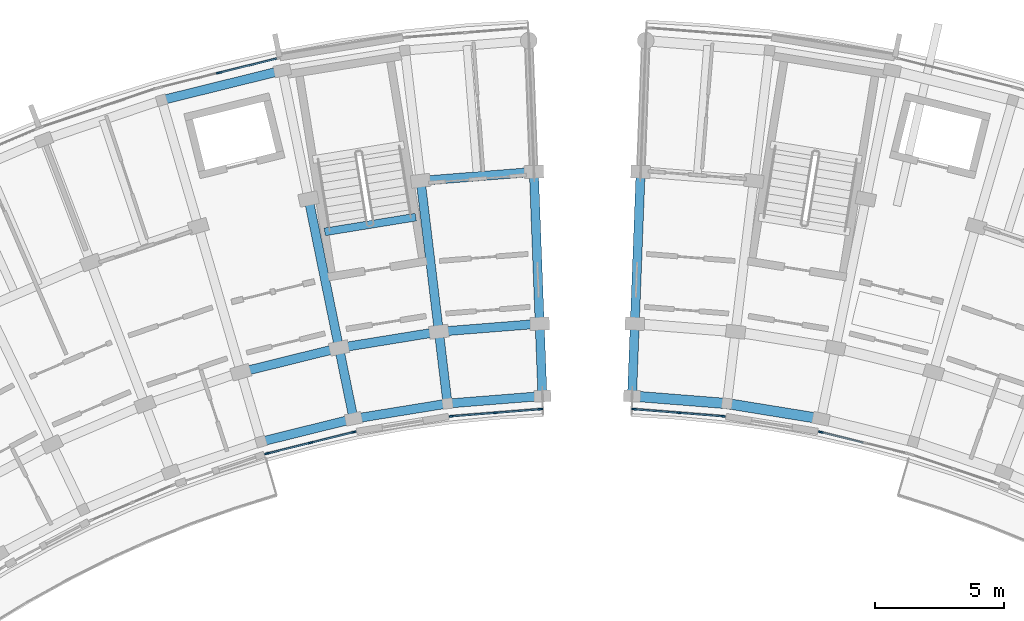
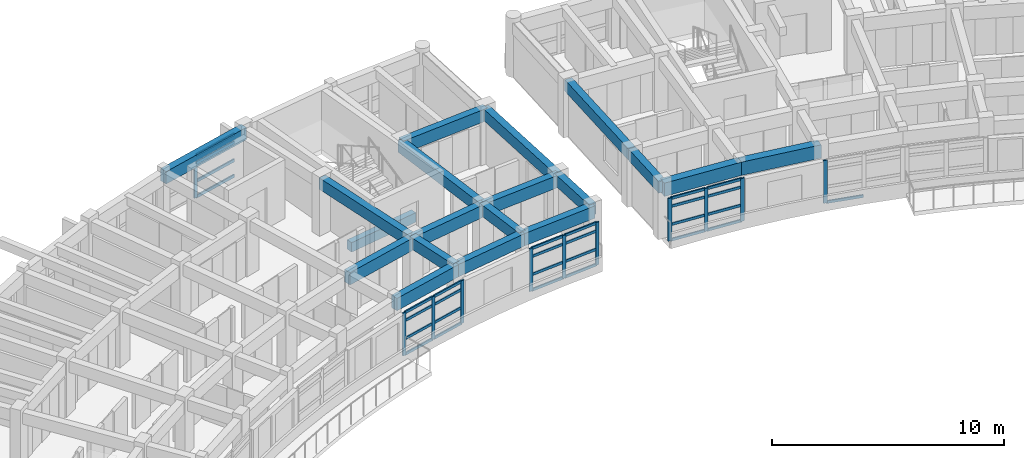
# One storey, part 6 of 54: 40 members, 19 beams, 5 elements without a shape of their own.
"""IFC4 building model written with IfcOpenShell, lengths in metres."""

from ifc_helpers import new_model, si_unit, direction, frame, origin, origin_2d, place, context, subcontext, project, spatial, rectangle, extrude, material, material_profile, profile_set, type_object, element, aggregate, save


model = new_model("IFC4")

# Units and contexts
model_context = context("Model", 3, precision=1e-05, world=origin(), true_north=direction((0.0, 1.0)))
body_context = subcontext(model_context, "Body", "Model", "MODEL_VIEW")
ifc_project = project(units=[si_unit("LENGTHUNIT", "METRE"), si_unit("AREAUNIT", "SQUARE_METRE"), si_unit("VOLUMEUNIT", "CUBIC_METRE"), si_unit("PLANEANGLEUNIT", "RADIAN"), si_unit("MASSUNIT", "GRAM", prefix="KILO")], contexts=[model_context])

# Site, building, storey
site_placement = place(None, origin())
site = spatial("IfcSite", under=ifc_project, at=site_placement, CompositionType="ELEMENT")
building_placement = place(site_placement, origin())
building = spatial("IfcBuilding", under=site, at=building_placement, Name="Zimvara Arc Housing Community", CompositionType="ELEMENT")
storey_placement = place(building_placement, frame((0.0, 0.0, 23.60009765625)))
storey = spatial("IfcBuildingStorey", under=building, at=storey_placement, Name="L07", CompositionType="ELEMENT", Elevation=23.60009765625)

# Beams
ifc_material_1 = material(Name="Concrete C40/50", Category="concrete")
ifc_material_profile_1 = material_profile(ifc_material_1, rectangle(XDim=0.300048828125, YDim=0.5, at=origin_2d()), Name="RC 300x500")
ifc_profile_set_1 = profile_set([ifc_material_profile_1], Name="Concrete C40/50")
beam_type_1 = type_object("IfcBeamType", Name="BM-RC-300x500", PredefinedType="BEAM", material=ifc_profile_set_1)
beam_1_placement = place(storey_placement, frame((38.3662109375, 96.509033203125, -0.25), z_axis=(-0.987080057935, -0.160227835371, 0.0), x_axis=(0.160227835371, -0.987080057935, 0.0)))
element("IfcBeam", 1, at=beam_1_placement, inside=storey, type_object=beam_type_1, Name="bm:stair_trim:ST-A2:L07:near", PredefinedType="BEAM", context=body_context, shape_type="SweptSolid", body=[
    extrude(rectangle(XDim=0.300048828125, YDim=0.5, at=origin_2d()), origin(), (0.0, 0.0, 1.0), 3.570068359375),
])
ifc_material_2 = material(Name="Concrete C40/50", Category="concrete")
ifc_material_profile_2 = material_profile(ifc_material_2, rectangle(XDim=0.35009765625, YDim=0.60009765625, at=origin_2d()), Name="RC 350x600")
ifc_profile_set_2 = profile_set([ifc_material_profile_2], Name="Concrete C40/50")
beam_type_2 = type_object("IfcBeamType", Name="BM-RC-350x600", PredefinedType="BEAM", material=ifc_profile_set_2)
beam_2_placement = place(storey_placement, frame((35.958251953125, 88.704833984375, 2.559814453125), z_axis=(-0.20037341071, 0.979719600845, 0.0), x_axis=(-0.979719600845, -0.20037341071, 0.0)))
element("IfcBeam", 2, at=beam_2_placement, inside=storey, type_object=beam_type_2, Name="bm:blkA:L07:rad:b8:r01", PredefinedType="BEAM", context=body_context, shape_type="SweptSolid", body=[
    extrude(rectangle(XDim=0.35009765625, YDim=0.60009765625, at=origin_2d()), origin(), (0.0, 0.0, 1.0), 2.800048828125),
])
beam_3_placement = place(storey_placement, frame((35.397216796875, 91.447998046875, 2.559814453125), z_axis=(-0.200417973989, 0.979710485655, 0.0), x_axis=(-0.979710485655, -0.200417973989, 0.0)))
element("IfcBeam", 3, at=beam_3_placement, inside=storey, type_object=beam_type_2, Name="bm:blkA:L07:rad:b8:r12", PredefinedType="BEAM", context=body_context, shape_type="SweptSolid", body=[
    extrude(rectangle(XDim=0.35009765625, YDim=0.60009765625, at=origin_2d()), origin(), (0.0, 0.0, 1.0), 5.880126953125),
])
beam_4_placement = place(storey_placement, frame((39.594970703125, 89.295166015625, 2.559814453125), z_axis=(-0.119719398078, 0.992807768767, 0.0), x_axis=(-0.992807768767, -0.119719398078, 0.0)))
element("IfcBeam", 4, at=beam_4_placement, inside=storey, type_object=beam_type_2, Name="bm:blkA:L07:rad:b9:r01", PredefinedType="BEAM", context=body_context, shape_type="SweptSolid", body=[
    extrude(rectangle(XDim=0.35009765625, YDim=0.60009765625, at=origin_2d()), origin(), (0.0, 0.0, 1.0), 2.7998046875),
])
beam_5_placement = place(storey_placement, frame((39.259765625, 92.074951171875, 2.559814453125), z_axis=(-0.119827921695, 0.992794676246, 0.0), x_axis=(-0.992794676246, -0.119827921695, 0.0)))
element("IfcBeam", 5, at=beam_5_placement, inside=storey, type_object=beam_type_2, Name="bm:blkA:L07:rad:b9:r12", PredefinedType="BEAM", context=body_context, shape_type="SweptSolid", body=[
    extrude(rectangle(XDim=0.35009765625, YDim=0.60009765625, at=origin_2d()), origin(), (0.0, 0.0, 1.0), 5.880126953125),
])
beam_6_placement = place(storey_placement, frame((43.267822265625, 89.586669921875, 2.559814453125), z_axis=(-0.038362804793, 0.999263876665, 0.0), x_axis=(-0.999263876665, -0.038362804793, 0.0)))
element("IfcBeam", 6, at=beam_6_placement, inside=storey, type_object=beam_type_2, Name="bm:blkA:L07:rad:b10:r01", PredefinedType="BEAM", context=body_context, shape_type="SweptSolid", body=[
    extrude(rectangle(XDim=0.35009765625, YDim=0.60009765625, at=origin_2d()), origin(), (0.0, 0.0, 1.0), 2.800048828125),
])
beam_7_placement = place(storey_placement, frame((43.160400390625, 92.384765625, 2.559814453125), z_axis=(-0.038366147405, 0.999263748333, 0.0), x_axis=(-0.999263748333, -0.038366147405, 0.0)))
element("IfcBeam", 7, at=beam_7_placement, inside=storey, type_object=beam_type_2, Name="bm:blkA:L07:rad:b10:r12", PredefinedType="BEAM", context=body_context, shape_type="SweptSolid", body=[
    extrude(rectangle(XDim=0.35009765625, YDim=0.60009765625, at=origin_2d()), origin(), (0.0, 0.0, 1.0), 5.8798828125),
])
beam_8_placement = place(storey_placement, frame((46.732177734375, 89.586669921875, 2.559814453125), z_axis=(0.038362804793, 0.999263876665, 0.0), x_axis=(-0.999263876665, 0.038362804793, 0.0)))
element("IfcBeam", 8, at=beam_8_placement, inside=storey, type_object=beam_type_2, Name="bm:blkB:L07:rad:b0:r01", PredefinedType="BEAM", context=body_context, shape_type="SweptSolid", body=[
    extrude(rectangle(XDim=0.35009765625, YDim=0.60009765625, at=origin_2d()), origin(), (0.0, 0.0, 1.0), 2.800048828125),
])
beam_9_placement = place(storey_placement, frame((46.839599609375, 92.384765625, 2.559814453125), z_axis=(0.038366147405, 0.999263748333, 0.0), x_axis=(-0.999263748333, 0.038366147405, 0.0)))
element("IfcBeam", 9, at=beam_9_placement, inside=storey, type_object=beam_type_2, Name="bm:blkB:L07:rad:b0:r12", PredefinedType="BEAM", context=body_context, shape_type="SweptSolid", body=[
    extrude(rectangle(XDim=0.35009765625, YDim=0.60009765625, at=origin_2d()), origin(), (0.0, 0.0, 1.0), 5.8798828125),
])
ifc_material_3 = material(Name="Concrete C40/50", Category="concrete")
ifc_material_profile_3 = material_profile(ifc_material_3, rectangle(XDim=0.35009765625, YDim=0.64990234375, at=origin_2d()), Name="RC 350x650")
ifc_profile_set_3 = profile_set([ifc_material_profile_3], Name="Concrete C40/50")
beam_type_3 = type_object("IfcBeamType", Name="BM-RC-350x650", PredefinedType="BEAM", material=ifc_profile_set_3)
beam_10_placement = place(storey_placement, frame((32.381591796875, 87.819580078125, 2.534912109375), z_axis=(0.970708886215, 0.240258731837, 0.0), x_axis=(-0.240258731837, 0.970708886215, 0.0)))
element("IfcBeam", 10, at=beam_10_placement, inside=storey, type_object=beam_type_3, Name="bm:blkA:L07:chord:r0:b7", PredefinedType="BEAM", context=body_context, shape_type="SweptSolid", body=[
    extrude(rectangle(XDim=0.35009765625, YDim=0.64990234375, at=origin_2d()), origin(), (0.0, 0.0, 1.0), 3.6845703125),
])
for number, where, z_axis, x_axis, name in (
    (11, (35.958251953125, 88.704833984375, 2.534912109375), (0.987079996944, 0.160228211104, 0.0), (-0.160228211104, 0.987079996944, 0.0), "bm:blkA:L07:chord:r0:b8"),
    (12, (39.594970703125, 89.295166015625, 2.534912109375), (0.996865226667, 0.079118391428, 0.0), (-0.079118391428, 0.996865226667, 0.0), "bm:blkA:L07:chord:r0:b9"),
):
    element("IfcBeam", number, at=place(storey_placement, frame(where, z_axis=z_axis, x_axis=x_axis)), inside=storey, type_object=beam_type_3, Name=name, PredefinedType="BEAM", context=body_context, shape_type="SweptSolid", body=[
        extrude(rectangle(XDim=0.35009765625, YDim=0.64990234375, at=origin_2d()), origin(), (0.0, 0.0, 1.0), 3.684326171875),
    ])
for number, where, z_axis, x_axis, name in (
    (13, (31.5986328125, 90.5078125, 2.534912109375), (0.970708671682, 0.240259598602, 0.0), (-0.240259598602, 0.970708671682, 0.0), "bm:blkA:L07:chord:r1:b7"),
    (14, (35.397216796875, 91.447998046875, 2.534912109375), (0.987081487371, 0.160219029111, 0.0), (-0.160219029111, 0.987081487371, 0.0), "bm:blkA:L07:chord:r1:b8"),
):
    element("IfcBeam", number, at=place(storey_placement, frame(where, z_axis=z_axis, x_axis=x_axis)), inside=storey, type_object=beam_type_3, Name=name, PredefinedType="BEAM", context=body_context, shape_type="SweptSolid", body=[
        extrude(rectangle(XDim=0.35009765625, YDim=0.64990234375, at=origin_2d()), origin(), (0.0, 0.0, 1.0), 3.9130859375),
    ])
beam_11_placement = place(storey_placement, frame((39.259765625, 92.074951171875, 2.534912109375), z_axis=(0.99686054795, 0.079177319606, 0.0), x_axis=(-0.079177319606, 0.99686054795, 0.0)))
element("IfcBeam", 15, at=beam_11_placement, inside=storey, type_object=beam_type_3, Name="bm:blkA:L07:chord:r1:b9", PredefinedType="BEAM", context=body_context, shape_type="SweptSolid", body=[
    extrude(rectangle(XDim=0.35009765625, YDim=0.64990234375, at=origin_2d()), origin(), (0.0, 0.0, 1.0), 3.912841796875),
])
beam_12_placement = place(storey_placement, frame((38.55517578125, 97.91259765625, 2.534912109375), z_axis=(0.996864209836, 0.079131202119, 0.0), x_axis=(-0.079131202119, 0.996864209836, 0.0)))
element("IfcBeam", 16, at=beam_12_placement, inside=storey, type_object=beam_type_3, Name="bm:blkA:L07:chord:r2:b9", PredefinedType="BEAM", context=body_context, shape_type="SweptSolid", body=[
    extrude(rectangle(XDim=0.35009765625, YDim=0.64990234375, at=origin_2d()), origin(), (0.0, 0.0, 1.0), 4.393310546875),
])
beam_13_placement = place(storey_placement, frame((28.533447265625, 101.030517578125, 2.534912109375), z_axis=(0.970716235341, 0.240229037474, 0.0), x_axis=(-0.240229037474, 0.970716235341, 0.0)))
element("IfcBeam", 17, at=beam_13_placement, inside=storey, type_object=beam_type_3, Name="bm:blkA:L07:chord:r3:b7", PredefinedType="BEAM", context=body_context, shape_type="SweptSolid", body=[
    extrude(rectangle(XDim=0.35009765625, YDim=0.64990234375, at=origin_2d()), origin(), (0.0, 0.0, 1.0), 4.80810546875),
])
ifc_material_4 = material(Name="Concrete C40/50", Category="concrete")
ifc_material_profile_4 = material_profile(ifc_material_4, rectangle(XDim=0.39990234375, YDim=0.699951171875, at=origin_2d()), Name="RC 400x700")
ifc_profile_set_4 = profile_set([ifc_material_profile_4], Name="Concrete C40/50")
beam_type_4 = type_object("IfcBeamType", Name="BM-RC-400x700", PredefinedType="BEAM", material=ifc_profile_set_4)
for number, where, z_axis, x_axis, name in (
    (18, (46.732177734375, 89.586669921875, 2.510009765625), (0.996865226667, -0.079118391428, 0.0), (0.079118391428, 0.996865226667, 0.0), "bm:blkB:L07:chord:r0:b0"),
    (19, (50.405029296875, 89.295166015625, 2.510009765625), (0.987079996944, -0.160228211104, 0.0), (0.160228211104, 0.987079996944, 0.0), "bm:blkB:L07:chord:r0:b1"),
):
    element("IfcBeam", number, at=place(storey_placement, frame(where, z_axis=z_axis, x_axis=x_axis)), inside=storey, type_object=beam_type_4, Name=name, PredefinedType="BEAM", context=body_context, shape_type="SweptSolid", body=[
        extrude(rectangle(XDim=0.39990234375, YDim=0.699951171875, at=origin_2d()), origin(), (0.0, 0.0, 1.0), 3.684326171875),
    ])

# Curtain wall, members
ifc_material_5 = material(Name="Anodised Aluminium AW-6063", Category="aluminium")
curtain_wall_type_1 = type_object("IfcCurtainWallType", Name="CW-SYS-02", PredefinedType="USERDEFINED", material=ifc_material_5)
curtain_wall_1_placement = place(storey_placement, origin())
curtain_wall_1 = element("IfcCurtainWall", 20, at=curtain_wall_1_placement, inside=storey, type_object=curtain_wall_type_1, Name="cw:blkA:L07:in:b7", ObjectType="CURTAIN WALL", PredefinedType="USERDEFINED")
ifc_material_6 = material(Name="Anodised Aluminium AW-6063", Category="aluminium")
ifc_material_profile_5 = material_profile(ifc_material_6, rectangle(XDim=0.06494140625, YDim=0.179931640625, at=origin_2d()), Name="ALU 65x180")
ifc_profile_set_5 = profile_set([ifc_material_profile_5], Name="Anodised Aluminium AW-6063")
member_type_1 = type_object("IfcMemberType", Name="CWM-65x150", PredefinedType="MULLION", material=ifc_profile_set_5)
member_1_placement = place(storey_placement, frame((32.611328125, 87.36181640625, 0.0), z_axis=(0.0, 0.0, 1.0), x_axis=(-0.240227815706, 0.970716537698, 0.0)))
member_1 = element("IfcMember", 21, at=member_1_placement, type_object=member_type_1, Name="CW02 mullion 1", PredefinedType="MULLION", context=body_context, shape_type="SweptSolid", body=[
    extrude(rectangle(XDim=0.06494140625, YDim=0.179931640625, at=origin_2d()), origin(), (0.0, 0.0, 1.0), 2.25),
])
member_2_placement = place(storey_placement, frame((34.2900390625, 87.77734375, 0.0), z_axis=(0.0, 0.0, 1.0), x_axis=(-0.240227815706, 0.970716537698, 0.0)))
member_2 = element("IfcMember", 22, at=member_2_placement, type_object=member_type_1, Name="CW02 mullion 2", PredefinedType="MULLION", context=body_context, shape_type="SweptSolid", body=[
    extrude(rectangle(XDim=0.06494140625, YDim=0.179931640625, at=origin_2d()), origin(), (0.0, 0.0, 1.0), 2.25),
])
member_3_placement = place(storey_placement, frame((35.96875, 88.192626953125, 0.0), z_axis=(0.0, 0.0, 1.0), x_axis=(-0.240227815706, 0.970716537698, 0.0)))
member_3 = element("IfcMember", 23, at=member_3_placement, type_object=member_type_1, Name="CW02 mullion 3", PredefinedType="MULLION", context=body_context, shape_type="SweptSolid", body=[
    extrude(rectangle(XDim=0.06494140625, YDim=0.179931640625, at=origin_2d()), origin(), (0.0, 0.0, 1.0), 2.25),
])

ifc_material_7 = material(Name="Anodised Aluminium AW-6063", Category="aluminium")
curtain_wall_type_2 = type_object("IfcCurtainWallType", Name="CW-SYS-04", PredefinedType="USERDEFINED", material=ifc_material_7)
curtain_wall_2_placement = place(storey_placement, origin())
curtain_wall_2 = element("IfcCurtainWall", 24, at=curtain_wall_2_placement, inside=storey, type_object=curtain_wall_type_2, Name="cw:blkA:L07:in:b9", ObjectType="CURTAIN WALL", PredefinedType="USERDEFINED")
member_4_placement = place(storey_placement, frame((39.7470703125, 88.805908203125, 0.0), z_axis=(0.0, 0.0, 1.0), x_axis=(-0.079154709897, 0.996862343506, 0.0)))
member_4 = element("IfcMember", 25, at=member_4_placement, type_object=member_type_1, Name="CW04 mullion 1", PredefinedType="MULLION", context=body_context, shape_type="SweptSolid", body=[
    extrude(rectangle(XDim=0.06494140625, YDim=0.179931640625, at=origin_2d()), origin(), (0.0, 0.0, 1.0), 2.25),
])
member_5_placement = place(storey_placement, frame((41.470947265625, 88.94287109375, 0.0), z_axis=(0.0, 0.0, 1.0), x_axis=(-0.079154709897, 0.996862343506, 0.0)))
member_5 = element("IfcMember", 26, at=member_5_placement, type_object=member_type_1, Name="CW04 mullion 2", PredefinedType="MULLION", context=body_context, shape_type="SweptSolid", body=[
    extrude(rectangle(XDim=0.06494140625, YDim=0.179931640625, at=origin_2d()), origin(), (0.0, 0.0, 1.0), 2.25),
])
member_6_placement = place(storey_placement, frame((43.19482421875, 89.079833984375, 0.0), z_axis=(0.0, 0.0, 1.0), x_axis=(-0.079154709897, 0.996862343506, 0.0)))
member_6 = element("IfcMember", 27, at=member_6_placement, type_object=member_type_1, Name="CW04 mullion 3", PredefinedType="MULLION", context=body_context, shape_type="SweptSolid", body=[
    extrude(rectangle(XDim=0.06494140625, YDim=0.179931640625, at=origin_2d()), origin(), (0.0, 0.0, 1.0), 2.25),
])

ifc_material_8 = material(Name="Anodised Aluminium AW-6063", Category="aluminium")
curtain_wall_type_3 = type_object("IfcCurtainWallType", Name="CW-SYS-08", PredefinedType="USERDEFINED", material=ifc_material_8)
curtain_wall_3_placement = place(storey_placement, origin())
curtain_wall_3 = element("IfcCurtainWall", 28, at=curtain_wall_3_placement, inside=storey, type_object=curtain_wall_type_3, Name="cw:blkB:L07:in:b0", ObjectType="CURTAIN WALL", PredefinedType="USERDEFINED")
member_7_placement = place(storey_placement, frame((46.80517578125, 89.079833984375, 0.0), z_axis=(0.0, 0.0, 1.0), x_axis=(0.079154709897, 0.996862343506, 0.0)))
member_7 = element("IfcMember", 29, at=member_7_placement, type_object=member_type_1, Name="CW08 mullion 1", PredefinedType="MULLION", context=body_context, shape_type="SweptSolid", body=[
    extrude(rectangle(XDim=0.06494140625, YDim=0.179931640625, at=origin_2d()), origin(), (0.0, 0.0, 1.0), 2.25),
])
member_8_placement = place(storey_placement, frame((48.529052734375, 88.94287109375, 0.0), z_axis=(0.0, 0.0, 1.0), x_axis=(0.079154709897, 0.996862343506, 0.0)))
member_8 = element("IfcMember", 30, at=member_8_placement, type_object=member_type_1, Name="CW08 mullion 2", PredefinedType="MULLION", context=body_context, shape_type="SweptSolid", body=[
    extrude(rectangle(XDim=0.06494140625, YDim=0.179931640625, at=origin_2d()), origin(), (0.0, 0.0, 1.0), 2.25),
])
member_9_placement = place(storey_placement, frame((50.2529296875, 88.805908203125, 0.0), z_axis=(0.0, 0.0, 1.0), x_axis=(0.079154709897, 0.996862343506, 0.0)))
member_9 = element("IfcMember", 31, at=member_9_placement, type_object=member_type_1, Name="CW08 mullion 3", PredefinedType="MULLION", context=body_context, shape_type="SweptSolid", body=[
    extrude(rectangle(XDim=0.06494140625, YDim=0.179931640625, at=origin_2d()), origin(), (0.0, 0.0, 1.0), 2.25),
])

# Curtain wall, member
curtain_wall_4_placement = place(storey_placement, origin())
curtain_wall_4 = element("IfcCurtainWall", 32, at=curtain_wall_4_placement, inside=storey, type_object=curtain_wall_type_1, Name="cw:blkB:L07:in:b2", ObjectType="CURTAIN WALL", PredefinedType="USERDEFINED")
member_10_placement = place(storey_placement, frame((54.03125, 88.192626953125, 0.0), z_axis=(0.0, 0.0, 1.0), x_axis=(0.240227815706, 0.970716537698, 0.0)))
member_10 = element("IfcMember", 33, at=member_10_placement, type_object=member_type_1, Name="CW02 mullion 1", PredefinedType="MULLION", context=body_context, shape_type="SweptSolid", body=[
    extrude(rectangle(XDim=0.06494140625, YDim=0.179931640625, at=origin_2d()), origin(), (0.0, 0.0, 1.0), 2.25),
])

ifc_material_9 = material(Name="Anodised Aluminium AW-6063", Category="aluminium")
curtain_wall_type_4 = type_object("IfcCurtainWallType", Name="CW-SYS-01", PredefinedType="USERDEFINED", material=ifc_material_9)
curtain_wall_5_placement = place(storey_placement, origin())
curtain_wall_5 = element("IfcCurtainWall", 34, at=curtain_wall_5_placement, inside=storey, type_object=curtain_wall_type_4, Name="cw:blkA:L07:out:b7", ObjectType="CURTAIN WALL", PredefinedType="USERDEFINED")
ifc_material_10 = material(Name="Anodised Aluminium AW-6063", Category="aluminium")
ifc_material_profile_6 = material_profile(ifc_material_10, rectangle(XDim=0.06494140625, YDim=0.195068359375, at=origin_2d()), Name="ALU 65x195")
ifc_profile_set_6 = profile_set([ifc_material_profile_6], Name="Anodised Aluminium AW-6063")
member_type_2 = type_object("IfcMemberType", Name="CWM-65x180", PredefinedType="MULLION", material=ifc_profile_set_6)
member_11_placement = place(storey_placement, frame((30.7470703125, 102.093017578125, 0.0), z_axis=(0.0, 0.0, 1.0), x_axis=(-0.240229711131, 0.970716068627, 0.0)))
member_11 = element("IfcMember", 35, at=member_11_placement, type_object=member_type_2, Name="CW01 mullion 2", PredefinedType="MULLION", context=body_context, shape_type="SweptSolid", body=[
    extrude(rectangle(XDim=0.06494140625, YDim=0.195068359375, at=origin_2d()), origin(), (0.0, 0.0, 1.0), 2.25),
])

# Member
ifc_material_11 = material(Name="Anodised Aluminium AW-6063", Category="aluminium")
ifc_material_profile_7 = material_profile(ifc_material_11, rectangle(XDim=0.06494140625, YDim=0.139892578125, at=origin_2d()), Name="ALU 65x140")
ifc_profile_set_7 = profile_set([ifc_material_profile_7], Name="Anodised Aluminium AW-6063")
member_type_3 = type_object("IfcMemberType", Name="CWT-65x120", PredefinedType="USERDEFINED", material=ifc_profile_set_7)
member_12_placement = place(storey_placement, frame((32.642822265625, 87.36962890625, 0.032470703125), z_axis=(0.970700809973, 0.24029135964, 0.0), x_axis=(-0.24029135964, 0.970700809973, 0.0)))
member_12 = element("IfcMember", 36, at=member_12_placement, type_object=member_type_3, Name="CW02 transom 1.1", ObjectType="TRANSOM", PredefinedType="USERDEFINED", context=body_context, shape_type="SweptSolid", body=[
    extrude(rectangle(XDim=0.06494140625, YDim=0.139892578125, at=origin_2d()), origin(), (0.0, 0.0, 1.0), 1.664306640625),
])

member_13_placement = place(storey_placement, frame((32.642822265625, 87.36962890625, 0.849853515625), z_axis=(0.970700809973, 0.24029135964, 0.0), x_axis=(-0.24029135964, 0.970700809973, 0.0)))
member_13 = element("IfcMember", 37, at=member_13_placement, type_object=member_type_3, Name="CW02 transom 1.2", ObjectType="TRANSOM", PredefinedType="USERDEFINED", context=body_context, shape_type="SweptSolid", body=[
    extrude(rectangle(XDim=0.06494140625, YDim=0.139892578125, at=origin_2d()), origin(), (0.0, 0.0, 1.0), 1.664306640625),
])

member_14_placement = place(storey_placement, frame((32.642822265625, 87.36962890625, 1.7998046875), z_axis=(0.970700809973, 0.24029135964, 0.0), x_axis=(-0.24029135964, 0.970700809973, 0.0)))
member_14 = element("IfcMember", 38, at=member_14_placement, type_object=member_type_3, Name="CW02 transom 1.3", ObjectType="TRANSOM", PredefinedType="USERDEFINED", context=body_context, shape_type="SweptSolid", body=[
    extrude(rectangle(XDim=0.06494140625, YDim=0.139892578125, at=origin_2d()), origin(), (0.0, 0.0, 1.0), 1.664306640625),
])

member_15_placement = place(storey_placement, frame((32.642822265625, 87.36962890625, 2.21728515625), z_axis=(0.970700809973, 0.24029135964, 0.0), x_axis=(-0.24029135964, 0.970700809973, 0.0)))
member_15 = element("IfcMember", 39, at=member_15_placement, type_object=member_type_3, Name="CW02 transom 1.4", ObjectType="TRANSOM", PredefinedType="USERDEFINED", context=body_context, shape_type="SweptSolid", body=[
    extrude(rectangle(XDim=0.06494140625, YDim=0.139892578125, at=origin_2d()), origin(), (0.0, 0.0, 1.0), 1.664306640625),
])

member_16_placement = place(storey_placement, frame((34.321533203125, 87.78515625, 0.032470703125), z_axis=(0.970735018799, 0.240153124645, 0.0), x_axis=(-0.240153124645, 0.970735018799, 0.0)))
member_16 = element("IfcMember", 40, at=member_16_placement, type_object=member_type_3, Name="CW02 transom 2.1", ObjectType="TRANSOM", PredefinedType="USERDEFINED", context=body_context, shape_type="SweptSolid", body=[
    extrude(rectangle(XDim=0.06494140625, YDim=0.139892578125, at=origin_2d()), origin(), (0.0, 0.0, 1.0), 1.6640625),
])

member_17_placement = place(storey_placement, frame((34.321533203125, 87.78515625, 0.849853515625), z_axis=(0.970735018799, 0.240153124645, 0.0), x_axis=(-0.240153124645, 0.970735018799, 0.0)))
member_17 = element("IfcMember", 41, at=member_17_placement, type_object=member_type_3, Name="CW02 transom 2.2", ObjectType="TRANSOM", PredefinedType="USERDEFINED", context=body_context, shape_type="SweptSolid", body=[
    extrude(rectangle(XDim=0.06494140625, YDim=0.139892578125, at=origin_2d()), origin(), (0.0, 0.0, 1.0), 1.6640625),
])

member_18_placement = place(storey_placement, frame((34.321533203125, 87.78515625, 1.7998046875), z_axis=(0.970735018799, 0.240153124645, 0.0), x_axis=(-0.240153124645, 0.970735018799, 0.0)))
member_18 = element("IfcMember", 42, at=member_18_placement, type_object=member_type_3, Name="CW02 transom 2.3", ObjectType="TRANSOM", PredefinedType="USERDEFINED", context=body_context, shape_type="SweptSolid", body=[
    extrude(rectangle(XDim=0.06494140625, YDim=0.139892578125, at=origin_2d()), origin(), (0.0, 0.0, 1.0), 1.6640625),
])

member_19_placement = place(storey_placement, frame((34.321533203125, 87.78515625, 2.21728515625), z_axis=(0.970735018799, 0.240153124645, 0.0), x_axis=(-0.240153124645, 0.970735018799, 0.0)))
member_19 = element("IfcMember", 43, at=member_19_placement, type_object=member_type_3, Name="CW02 transom 2.4", ObjectType="TRANSOM", PredefinedType="USERDEFINED", context=body_context, shape_type="SweptSolid", body=[
    extrude(rectangle(XDim=0.06494140625, YDim=0.139892578125, at=origin_2d()), origin(), (0.0, 0.0, 1.0), 1.6640625),
])

aggregate(curtain_wall_1, [member_1, member_2, member_3, member_12, member_13, member_14, member_15, member_16, member_17, member_18, member_19])

member_20_placement = place(storey_placement, frame((39.779541015625, 88.80859375, 0.032470703125), z_axis=(0.99685804311, 0.079208849806, 0.0), x_axis=(-0.079208849806, 0.99685804311, 0.0)))
member_20 = element("IfcMember", 44, at=member_20_placement, type_object=member_type_3, Name="CW04 transom 1.1", ObjectType="TRANSOM", PredefinedType="USERDEFINED", context=body_context, shape_type="SweptSolid", body=[
    extrude(rectangle(XDim=0.06494140625, YDim=0.139892578125, at=origin_2d()), origin(), (0.0, 0.0, 1.0), 1.664306640625),
])

member_21_placement = place(storey_placement, frame((39.779541015625, 88.80859375, 0.849853515625), z_axis=(0.99685804311, 0.079208849806, 0.0), x_axis=(-0.079208849806, 0.99685804311, 0.0)))
member_21 = element("IfcMember", 45, at=member_21_placement, type_object=member_type_3, Name="CW04 transom 1.2", ObjectType="TRANSOM", PredefinedType="USERDEFINED", context=body_context, shape_type="SweptSolid", body=[
    extrude(rectangle(XDim=0.06494140625, YDim=0.139892578125, at=origin_2d()), origin(), (0.0, 0.0, 1.0), 1.664306640625),
])

member_22_placement = place(storey_placement, frame((39.779541015625, 88.80859375, 1.7998046875), z_axis=(0.99685804311, 0.079208849806, 0.0), x_axis=(-0.079208849806, 0.99685804311, 0.0)))
member_22 = element("IfcMember", 46, at=member_22_placement, type_object=member_type_3, Name="CW04 transom 1.3", ObjectType="TRANSOM", PredefinedType="USERDEFINED", context=body_context, shape_type="SweptSolid", body=[
    extrude(rectangle(XDim=0.06494140625, YDim=0.139892578125, at=origin_2d()), origin(), (0.0, 0.0, 1.0), 1.664306640625),
])

member_23_placement = place(storey_placement, frame((39.779541015625, 88.80859375, 2.21728515625), z_axis=(0.99685804311, 0.079208849806, 0.0), x_axis=(-0.079208849806, 0.99685804311, 0.0)))
member_23 = element("IfcMember", 47, at=member_23_placement, type_object=member_type_3, Name="CW04 transom 1.4", ObjectType="TRANSOM", PredefinedType="USERDEFINED", context=body_context, shape_type="SweptSolid", body=[
    extrude(rectangle(XDim=0.06494140625, YDim=0.139892578125, at=origin_2d()), origin(), (0.0, 0.0, 1.0), 1.664306640625),
])

member_24_placement = place(storey_placement, frame((41.50341796875, 88.945556640625, 0.032470703125), z_axis=(0.996869614678, 0.079063084507, 0.0), x_axis=(-0.079063084507, 0.996869614678, 0.0)))
member_24 = element("IfcMember", 48, at=member_24_placement, type_object=member_type_3, Name="CW04 transom 2.1", ObjectType="TRANSOM", PredefinedType="USERDEFINED", context=body_context, shape_type="SweptSolid", body=[
    extrude(rectangle(XDim=0.06494140625, YDim=0.139892578125, at=origin_2d()), origin(), (0.0, 0.0, 1.0), 1.664306640625),
])

member_25_placement = place(storey_placement, frame((41.50341796875, 88.945556640625, 0.849853515625), z_axis=(0.996869614678, 0.079063084507, 0.0), x_axis=(-0.079063084507, 0.996869614678, 0.0)))
member_25 = element("IfcMember", 49, at=member_25_placement, type_object=member_type_3, Name="CW04 transom 2.2", ObjectType="TRANSOM", PredefinedType="USERDEFINED", context=body_context, shape_type="SweptSolid", body=[
    extrude(rectangle(XDim=0.06494140625, YDim=0.139892578125, at=origin_2d()), origin(), (0.0, 0.0, 1.0), 1.664306640625),
])

member_26_placement = place(storey_placement, frame((41.50341796875, 88.945556640625, 1.7998046875), z_axis=(0.996869614678, 0.079063084507, 0.0), x_axis=(-0.079063084507, 0.996869614678, 0.0)))
member_26 = element("IfcMember", 50, at=member_26_placement, type_object=member_type_3, Name="CW04 transom 2.3", ObjectType="TRANSOM", PredefinedType="USERDEFINED", context=body_context, shape_type="SweptSolid", body=[
    extrude(rectangle(XDim=0.06494140625, YDim=0.139892578125, at=origin_2d()), origin(), (0.0, 0.0, 1.0), 1.664306640625),
])

member_27_placement = place(storey_placement, frame((41.50341796875, 88.945556640625, 2.21728515625), z_axis=(0.996869614678, 0.079063084507, 0.0), x_axis=(-0.079063084507, 0.996869614678, 0.0)))
member_27 = element("IfcMember", 51, at=member_27_placement, type_object=member_type_3, Name="CW04 transom 2.4", ObjectType="TRANSOM", PredefinedType="USERDEFINED", context=body_context, shape_type="SweptSolid", body=[
    extrude(rectangle(XDim=0.06494140625, YDim=0.139892578125, at=origin_2d()), origin(), (0.0, 0.0, 1.0), 1.664306640625),
])

aggregate(curtain_wall_2, [member_4, member_5, member_6, member_20, member_21, member_22, member_23, member_24, member_25, member_26, member_27])

member_28_placement = place(storey_placement, frame((46.83740234375, 89.0771484375, 0.032470703125), z_axis=(0.996869614678, -0.079063084507, 0.0), x_axis=(0.079063084507, 0.996869614678, 0.0)))
member_28 = element("IfcMember", 52, at=member_28_placement, type_object=member_type_3, Name="CW08 transom 1.1", ObjectType="TRANSOM", PredefinedType="USERDEFINED", context=body_context, shape_type="SweptSolid", body=[
    extrude(rectangle(XDim=0.06494140625, YDim=0.139892578125, at=origin_2d()), origin(), (0.0, 0.0, 1.0), 1.664306640625),
])

member_29_placement = place(storey_placement, frame((46.83740234375, 89.0771484375, 0.849853515625), z_axis=(0.996869614678, -0.079063084507, 0.0), x_axis=(0.079063084507, 0.996869614678, 0.0)))
member_29 = element("IfcMember", 53, at=member_29_placement, type_object=member_type_3, Name="CW08 transom 1.2", ObjectType="TRANSOM", PredefinedType="USERDEFINED", context=body_context, shape_type="SweptSolid", body=[
    extrude(rectangle(XDim=0.06494140625, YDim=0.139892578125, at=origin_2d()), origin(), (0.0, 0.0, 1.0), 1.664306640625),
])

member_30_placement = place(storey_placement, frame((46.83740234375, 89.0771484375, 1.7998046875), z_axis=(0.996869614678, -0.079063084507, 0.0), x_axis=(0.079063084507, 0.996869614678, 0.0)))
member_30 = element("IfcMember", 54, at=member_30_placement, type_object=member_type_3, Name="CW08 transom 1.3", ObjectType="TRANSOM", PredefinedType="USERDEFINED", context=body_context, shape_type="SweptSolid", body=[
    extrude(rectangle(XDim=0.06494140625, YDim=0.139892578125, at=origin_2d()), origin(), (0.0, 0.0, 1.0), 1.664306640625),
])

member_31_placement = place(storey_placement, frame((46.83740234375, 89.0771484375, 2.21728515625), z_axis=(0.996869614678, -0.079063084507, 0.0), x_axis=(0.079063084507, 0.996869614678, 0.0)))
member_31 = element("IfcMember", 55, at=member_31_placement, type_object=member_type_3, Name="CW08 transom 1.4", ObjectType="TRANSOM", PredefinedType="USERDEFINED", context=body_context, shape_type="SweptSolid", body=[
    extrude(rectangle(XDim=0.06494140625, YDim=0.139892578125, at=origin_2d()), origin(), (0.0, 0.0, 1.0), 1.664306640625),
])

member_32_placement = place(storey_placement, frame((48.561279296875, 88.9404296875, 0.032470703125), z_axis=(0.99685804311, -0.079208849806, 0.0), x_axis=(0.079208849806, 0.99685804311, 0.0)))
member_32 = element("IfcMember", 56, at=member_32_placement, type_object=member_type_3, Name="CW08 transom 2.1", ObjectType="TRANSOM", PredefinedType="USERDEFINED", context=body_context, shape_type="SweptSolid", body=[
    extrude(rectangle(XDim=0.06494140625, YDim=0.139892578125, at=origin_2d()), origin(), (0.0, 0.0, 1.0), 1.664306640625),
])

member_33_placement = place(storey_placement, frame((48.561279296875, 88.9404296875, 0.849853515625), z_axis=(0.99685804311, -0.079208849806, 0.0), x_axis=(0.079208849806, 0.99685804311, 0.0)))
member_33 = element("IfcMember", 57, at=member_33_placement, type_object=member_type_3, Name="CW08 transom 2.2", ObjectType="TRANSOM", PredefinedType="USERDEFINED", context=body_context, shape_type="SweptSolid", body=[
    extrude(rectangle(XDim=0.06494140625, YDim=0.139892578125, at=origin_2d()), origin(), (0.0, 0.0, 1.0), 1.664306640625),
])

member_34_placement = place(storey_placement, frame((48.561279296875, 88.9404296875, 1.7998046875), z_axis=(0.99685804311, -0.079208849806, 0.0), x_axis=(0.079208849806, 0.99685804311, 0.0)))
member_34 = element("IfcMember", 58, at=member_34_placement, type_object=member_type_3, Name="CW08 transom 2.3", ObjectType="TRANSOM", PredefinedType="USERDEFINED", context=body_context, shape_type="SweptSolid", body=[
    extrude(rectangle(XDim=0.06494140625, YDim=0.139892578125, at=origin_2d()), origin(), (0.0, 0.0, 1.0), 1.664306640625),
])

member_35_placement = place(storey_placement, frame((48.561279296875, 88.9404296875, 2.21728515625), z_axis=(0.99685804311, -0.079208849806, 0.0), x_axis=(0.079208849806, 0.99685804311, 0.0)))
member_35 = element("IfcMember", 59, at=member_35_placement, type_object=member_type_3, Name="CW08 transom 2.4", ObjectType="TRANSOM", PredefinedType="USERDEFINED", context=body_context, shape_type="SweptSolid", body=[
    extrude(rectangle(XDim=0.06494140625, YDim=0.139892578125, at=origin_2d()), origin(), (0.0, 0.0, 1.0), 1.664306640625),
])

aggregate(curtain_wall_3, [member_7, member_8, member_9, member_28, member_29, member_30, member_31, member_32, member_33, member_34, member_35])

member_36_placement = place(storey_placement, frame((54.06298828125, 88.184814453125, 0.032470703125), z_axis=(0.970735018799, -0.240153124645, 0.0), x_axis=(0.240153124645, 0.970735018799, 0.0)))
member_36 = element("IfcMember", 60, at=member_36_placement, type_object=member_type_3, Name="CW02 transom 1.1", ObjectType="TRANSOM", PredefinedType="USERDEFINED", context=body_context, shape_type="SweptSolid", body=[
    extrude(rectangle(XDim=0.06494140625, YDim=0.139892578125, at=origin_2d()), origin(), (0.0, 0.0, 1.0), 1.6640625),
])

aggregate(curtain_wall_4, [member_10, member_36])

ifc_material_12 = material(Name="Anodised Aluminium AW-6063", Category="aluminium")
ifc_material_profile_8 = material_profile(ifc_material_12, rectangle(XDim=0.06494140625, YDim=0.155029296875, at=origin_2d()), Name="ALU 65x155")
ifc_profile_set_8 = profile_set([ifc_material_profile_8], Name="Anodised Aluminium AW-6063")
member_type_4 = type_object("IfcMemberType", Name="CWT-65x140", PredefinedType="USERDEFINED", material=ifc_profile_set_8)
member_37_placement = place(storey_placement, frame((30.77880859375, 102.100830078125, 0.032470703125), z_axis=(0.970703721793, 0.240279596507, 0.0), x_axis=(-0.240279596507, 0.970703721793, 0.0)))
member_37 = element("IfcMember", 61, at=member_37_placement, type_object=member_type_4, Name="CW01 transom 2.1", ObjectType="TRANSOM", PredefinedType="USERDEFINED", context=body_context, shape_type="SweptSolid", body=[
    extrude(rectangle(XDim=0.06494140625, YDim=0.155029296875, at=origin_2d()), origin(), (0.0, 0.0, 1.0), 2.266845703125),
])

member_38_placement = place(storey_placement, frame((30.77880859375, 102.100830078125, 0.849853515625), z_axis=(0.970703721793, 0.240279596507, 0.0), x_axis=(-0.240279596507, 0.970703721793, 0.0)))
member_38 = element("IfcMember", 62, at=member_38_placement, type_object=member_type_4, Name="CW01 transom 2.2", ObjectType="TRANSOM", PredefinedType="USERDEFINED", context=body_context, shape_type="SweptSolid", body=[
    extrude(rectangle(XDim=0.06494140625, YDim=0.155029296875, at=origin_2d()), origin(), (0.0, 0.0, 1.0), 2.266845703125),
])

member_39_placement = place(storey_placement, frame((30.77880859375, 102.100830078125, 1.7998046875), z_axis=(0.970703721793, 0.240279596507, 0.0), x_axis=(-0.240279596507, 0.970703721793, 0.0)))
member_39 = element("IfcMember", 63, at=member_39_placement, type_object=member_type_4, Name="CW01 transom 2.3", ObjectType="TRANSOM", PredefinedType="USERDEFINED", context=body_context, shape_type="SweptSolid", body=[
    extrude(rectangle(XDim=0.06494140625, YDim=0.155029296875, at=origin_2d()), origin(), (0.0, 0.0, 1.0), 2.266845703125),
])

member_40_placement = place(storey_placement, frame((30.77880859375, 102.100830078125, 2.21728515625), z_axis=(0.970703721793, 0.240279596507, 0.0), x_axis=(-0.240279596507, 0.970703721793, 0.0)))
member_40 = element("IfcMember", 64, at=member_40_placement, type_object=member_type_4, Name="CW01 transom 2.4", ObjectType="TRANSOM", PredefinedType="USERDEFINED", context=body_context, shape_type="SweptSolid", body=[
    extrude(rectangle(XDim=0.06494140625, YDim=0.155029296875, at=origin_2d()), origin(), (0.0, 0.0, 1.0), 2.266845703125),
])

aggregate(curtain_wall_5, [member_11, member_37, member_38, member_39, member_40])

save(model, "model.ifc")
